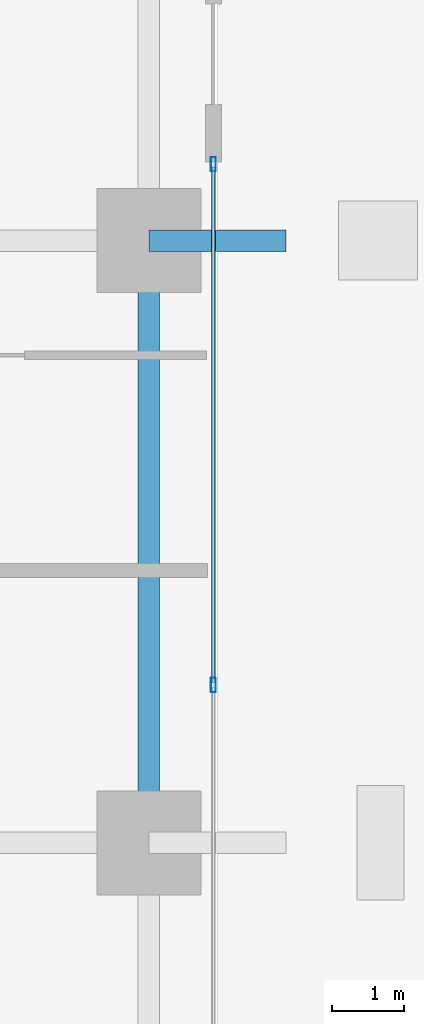
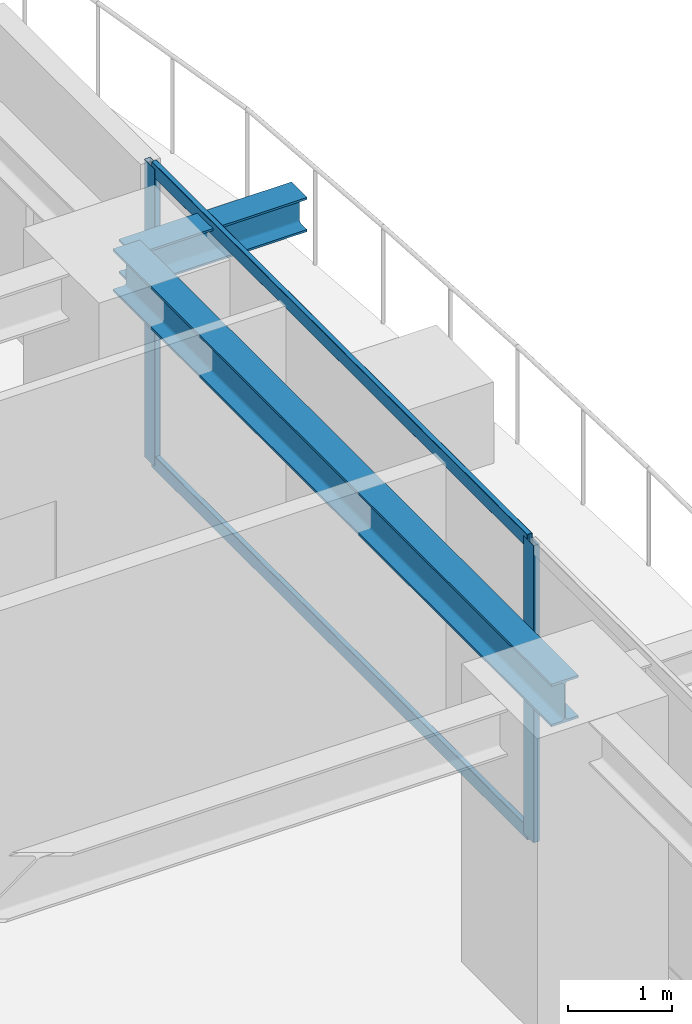
# One storey, part 14 of 38: 4 members, 2 beams, 1 element without a shape of its own.
"""IFC4 building model written with IfcOpenShell, lengths in metres."""

import ifcopenshell
import ifcopenshell.guid

model = None  # the IFC model being written
_history = None  # IfcOwnerHistory: only IFC2X3 demands one
_inside = {}  # id of a spatial element -> (the spatial element, [elements in it])
_under = {}  # id of a project, library or spatial element -> (it, [spatial elements below it])
_declared = {}  # id of a project -> (the project, [libraries it declares])
_typed = {}  # id of a type object -> (the type object, [elements of that type])
_made_of = {}  # id of a material, layer set ... -> (it, [elements and type objects made of it])


def new_model(schema):
    """Start an empty IFC model of exactly this schema.

    Asked for "IFC4X3", IfcOpenShell would pick the latest addendum, in which some entities
    have other attributes; the version numbers below select the first issue.
    IFC2X3 requires an IfcOwnerHistory on every rooted entity: one is made here for all.
    """
    global model, _history
    if schema == "IFC4X3":
        model = ifcopenshell.file(schema_version=(4, 3, 0, 0))
    else:
        model = ifcopenshell.file(schema=schema)
    _inside.clear()
    _under.clear()
    _declared.clear()
    _typed.clear()
    _made_of.clear()
    _history = None
    if model.schema == "IFC2X3":
        org = make("IfcOrganization", Name="unknown")
        user = make(
            "IfcPersonAndOrganization",
            ThePerson=make("IfcPerson", FamilyName="unknown"),
            TheOrganization=org,
        )
        app = make(
            "IfcApplication",
            ApplicationDeveloper=org,
            Version="unknown",
            ApplicationFullName="unknown",
            ApplicationIdentifier="unknown",
        )
        _history = make(
            "IfcOwnerHistory",
            OwningUser=user,
            OwningApplication=app,
            ChangeAction="ADDED",
            CreationDate=0,
        )
    return model


def make(cls, **values):
    """One entity of the class cls with the attributes given. An attribute that is None is left unset."""
    return model.create_entity(
        cls, **{name: value for name, value in values.items() if value is not None}
    )


def rooted(cls, **values):
    """An entity with a GlobalId (a new one), such as an element, a storey or a relation."""
    return make(cls, GlobalId=ifcopenshell.guid.new(), OwnerHistory=_history, **values)


def si_unit(unit_type, name, prefix=None):
    """IfcSIUnit, for example si_unit("LENGTHUNIT", "METRE", prefix="MILLI")."""
    return make("IfcSIUnit", UnitType=unit_type, Prefix=prefix, Name=name)


def assignment(units):
    """IfcUnitAssignment: the units of a project."""
    return None if units is None else make("IfcUnitAssignment", Units=units)


def point(xyz):
    """IfcCartesianPoint."""
    return None if xyz is None else make("IfcCartesianPoint", Coordinates=xyz)


def direction(xyz):
    """IfcDirection."""
    return None if xyz is None else make("IfcDirection", DirectionRatios=xyz)


def frame(location, z_axis=None, x_axis=None):
    """IfcAxis2Placement3D, a coordinate frame: its origin and axes. An axis left out is left unset."""
    return make(
        "IfcAxis2Placement3D",
        Location=point(location),
        Axis=direction(z_axis),
        RefDirection=direction(x_axis),
    )


def frame_2d(location, x_axis=None):
    """IfcAxis2Placement2D, a coordinate frame in the plane: its origin and x axis."""
    return make(
        "IfcAxis2Placement2D", Location=point(location), RefDirection=direction(x_axis)
    )


def origin():
    """The frame at (0, 0, 0) with its axes left unset."""
    return frame((0.0, 0.0, 0.0))


def origin_2d():
    """The frame at (0, 0) in the plane with its x axis left unset."""
    return frame_2d((0.0, 0.0))


def place(relative_to, where):
    """IfcLocalPlacement: puts the frame where relative to a parent placement (None: the world)."""
    return make(
        "IfcLocalPlacement", PlacementRelTo=relative_to, RelativePlacement=where
    )


def context(
    kind, dimensions, precision=None, world=None, true_north=None, identifier=None
):
    """IfcGeometricRepresentationContext, for example the 3D "Model" context."""
    return make(
        "IfcGeometricRepresentationContext",
        ContextIdentifier=identifier,
        ContextType=kind,
        CoordinateSpaceDimension=dimensions,
        Precision=precision,
        WorldCoordinateSystem=world,
        TrueNorth=true_north,
    )


def subcontext(parent, identifier, kind, view, scale=None):
    """IfcGeometricRepresentationSubContext, for example "Body" below "Model"."""
    return make(
        "IfcGeometricRepresentationSubContext",
        ContextIdentifier=identifier,
        ContextType=kind,
        ParentContext=parent,
        TargetScale=scale,
        TargetView=view,
    )


def project(units=None, contexts=None):
    """IfcProject with its units and contexts."""
    return rooted(
        "IfcProject",
        Name="project",
        RepresentationContexts=contexts,
        UnitsInContext=assignment(units),
    )


def spatial(cls, under=None, at=None, **own):
    """A site, building, storey or space (cls), placed at a placement, below another one or the project."""
    s = rooted(cls, ObjectPlacement=at, **own)
    if under is not None:
        _under.setdefault(under.id(), (under, []))[1].append(s)
    return s


def profile(cls, at=None, kind="AREA", **sizes):
    """A parametric profile (cls). Its sizes go by their IFC names, for example OverallWidth=200.0."""
    return make(cls, ProfileType=kind, Position=at, **sizes)


def hollow_rectangle(**sizes):
    """IfcRectangleHollowProfileDef."""
    return profile("IfcRectangleHollowProfileDef", **sizes)


def i_section(**sizes):
    """IfcIShapeProfileDef."""
    return profile("IfcIShapeProfileDef", **sizes)


def extrude(swept, where, along, depth):
    """IfcExtrudedAreaSolid: the profile swept, set in the frame where, extruded along a direction by depth."""
    return make(
        "IfcExtrudedAreaSolid",
        SweptArea=swept,
        Position=where,
        ExtrudedDirection=direction(along),
        Depth=depth,
    )


def shape(context_of_items, identifier, shape_type, items):
    """IfcShapeRepresentation: the items that make up one representation, for example the "Body"."""
    return make(
        "IfcShapeRepresentation",
        ContextOfItems=context_of_items,
        RepresentationIdentifier=identifier,
        RepresentationType=shape_type,
        Items=items,
    )


def source(mapping_origin, context_of_items, identifier, shape_type, items):
    """IfcRepresentationMap: a shape defined once, which mapped items show again and again."""
    return make(
        "IfcRepresentationMap",
        MappingOrigin=mapping_origin,
        MappedRepresentation=shape(context_of_items, identifier, shape_type, items),
    )


def transform(
    local_origin,
    x_axis=None,
    y_axis=None,
    z_axis=None,
    scale=None,
    scale2=None,
    scale3=None,
    uniform=True,
):
    """IfcCartesianTransformationOperator3D, or its non-uniform kind. x_axis, y_axis, z_axis: its Axis1, 2, 3."""
    if uniform:
        return make(
            "IfcCartesianTransformationOperator3D",
            Axis1=direction(x_axis),
            Axis2=direction(y_axis),
            LocalOrigin=point(local_origin),
            Scale=scale,
            Axis3=direction(z_axis),
        )
    return make(
        "IfcCartesianTransformationOperator3DnonUniform",
        Axis1=direction(x_axis),
        Axis2=direction(y_axis),
        LocalOrigin=point(local_origin),
        Scale=scale,
        Axis3=direction(z_axis),
        Scale2=scale2,
        Scale3=scale3,
    )


def mapped(mapping_source, mapping_target):
    """IfcMappedItem: shows the shape of a source again, moved by a transform."""
    return make(
        "IfcMappedItem", MappingSource=mapping_source, MappingTarget=mapping_target
    )


def material(Name=None, Category=None):
    """IfcMaterial."""
    return make("IfcMaterial", Name=Name, Category=Category)


def layer(
    of_material, thickness, ventilated=None, Name=None, Category=None, Priority=None
):
    """IfcMaterialLayer: one layer of a wall or slab, of a material (None: an air gap)."""
    return make(
        "IfcMaterialLayer",
        Material=of_material,
        LayerThickness=thickness,
        IsVentilated=ventilated,
        Name=Name,
        Category=Category,
        Priority=Priority,
    )


def layer_set(layers, Name=None):
    """IfcMaterialLayerSet."""
    return make("IfcMaterialLayerSet", MaterialLayers=layers, LayerSetName=Name)


def material_profile(
    of_material, cross_section, Name=None, Category=None, Priority=None
):
    """IfcMaterialProfile: a cross section and its material."""
    return make(
        "IfcMaterialProfile",
        Name=Name,
        Material=of_material,
        Profile=cross_section,
        Priority=Priority,
        Category=Category,
    )


def profile_set(profiles, Name=None, composite=None):
    """IfcMaterialProfileSet."""
    return make(
        "IfcMaterialProfileSet",
        Name=Name,
        MaterialProfiles=profiles,
        CompositeProfile=composite,
    )


def made_of(thing, what):
    """Note that an element or type object is made of a material, layer set ...; save() writes the relation."""
    if what is not None:
        _made_of.setdefault(what.id(), (what, []))[1].append(thing)
    return thing


def type_object(cls, material=None, **own):
    """A type object (cls), such as IfcWallType, which elements share."""
    return made_of(rooted(cls, **own), material)


def element(
    cls,
    number,
    at=None,
    inside=None,
    cuts=None,
    type_object=None,
    material=None,
    context=None,
    identifier="Body",
    shape_type=None,
    held_by="IfcProductDefinitionShape",
    body=None,
    shapes=None,
    **own,
):
    """One element of the class cls, such as IfcWall. Its Tag is "e" and its number.

    at: its placement. inside: the storey or other place that contains it. cuts: it is an
    opening in that element (IfcRelVoidsElement). A single representation is given by context,
    identifier, shape_type and body (its items); several are given by shapes. held_by: the class
    of the entity that holds the representations. save() writes the other relations.
    """
    e = rooted(cls, Tag="e%d" % number, ObjectPlacement=at, **own)
    if body is not None:
        shapes = [shape(context, identifier, shape_type, body)]
    if shapes is not None:
        e.Representation = make(held_by, Representations=shapes)
    if inside is not None:
        _inside.setdefault(inside.id(), (inside, []))[1].append(e)
    if cuts is not None:
        rooted(
            "IfcRelVoidsElement", RelatingBuildingElement=cuts, RelatedOpeningElement=e
        )
    if type_object is not None:
        _typed.setdefault(type_object.id(), (type_object, []))[1].append(e)
    return made_of(e, material)


def aggregate(whole, parts):
    """IfcRelAggregates: a whole, such as a stair, and the parts it consists of."""
    return rooted("IfcRelAggregates", RelatingObject=whole, RelatedObjects=parts)


def save(model, path):
    """Write the relations noted so far, then the file.

    IfcRelAggregates (storeys below a building ...), IfcRelContainedInSpatialStructure (elements
    in a storey), IfcRelDefinesByType, IfcRelAssociatesMaterial and IfcRelDeclares: one each for
    every whole, place, type object, material and project.
    """
    for whole, parts in _under.values():
        aggregate(whole, parts)
    for where, things in _inside.values():
        rooted(
            "IfcRelContainedInSpatialStructure",
            RelatedElements=things,
            RelatingStructure=where,
        )
    for kind, things in _typed.values():
        rooted("IfcRelDefinesByType", RelatedObjects=things, RelatingType=kind)
    for what, things in _made_of.values():
        rooted("IfcRelAssociatesMaterial", RelatedObjects=things, RelatingMaterial=what)
    for by, libraries in _declared.values():
        rooted("IfcRelDeclares", RelatingContext=by, RelatedDefinitions=libraries)
    model.write(path)


model = new_model("IFC4")

# Units and contexts
model_context = context("Model", 3, precision=1e-05, world=origin(), true_north=direction((0.0, 1.0)))
body_context = subcontext(model_context, "Body", "Model", "MODEL_VIEW")
ifc_project = project(units=[si_unit("LENGTHUNIT", "METRE"), si_unit("AREAUNIT", "SQUARE_METRE"), si_unit("VOLUMEUNIT", "CUBIC_METRE"), si_unit("PLANEANGLEUNIT", "RADIAN"), si_unit("MASSUNIT", "GRAM", prefix="KILO")], contexts=[model_context])

# Site, building, storey
site_placement = place(None, origin())
site = spatial("IfcSite", under=ifc_project, at=site_placement, CompositionType="ELEMENT")
building_placement = place(site_placement, origin())
building = spatial("IfcBuilding", under=site, at=building_placement, Name="Serunith Strait Residences", CompositionType="ELEMENT")
storey_placement = place(building_placement, frame((0.0, 0.0, 52.949951171875)))
storey = spatial("IfcBuildingStorey", under=building, at=storey_placement, Name="L12", CompositionType="ELEMENT", Elevation=52.949951171875)

# Beams
ifc_material_1 = material(Name="Steel S355J2", Category="steel")
ifc_material_profile_1 = material_profile(ifc_material_1, i_section(OverallWidth=0.300048828125, OverallDepth=0.5, WebThickness=0.014404296875, FlangeThickness=0.028076171875, FilletRadius=0.027099609375, at=origin_2d()), Name="HEB 500")
ifc_profile_set_1 = profile_set([ifc_material_profile_1], Name="Steel S355J2")
beam_type_1 = type_object("IfcBeamType", Name="BM-HEB500", PredefinedType="BEAM", material=ifc_profile_set_1)
shared_shape_1 = source(origin(), body_context, "Body", "SweptSolid", [
    extrude(i_section(OverallWidth=0.300048828125, OverallDepth=0.5, WebThickness=0.014404296875, FlangeThickness=0.028076171875, FilletRadius=0.027099609375, at=origin_2d()), origin(), (0.0, 0.0, 1.0), 8.39990234375),
])
beam_1_placement = place(storey_placement, frame((57.89990234375, 21.0, 3.237060546875), z_axis=(0.0, 1.0, 0.0), x_axis=(-1.0, 0.0, 0.0)))
element("IfcBeam", 1, at=beam_1_placement, inside=storey, type_object=beam_type_1, Name="L12 Perimeter Ring Beam 06", PredefinedType="BEAM", context=body_context, shape_type="MappedRepresentation", body=[
    mapped(shared_shape_1, transform((0.0, 0.0, 0.0), scale=1.0)),
])
ifc_material_profile_2 = material_profile(ifc_material_1, i_section(OverallWidth=0.300048828125, OverallDepth=0.39990234375, WebThickness=0.013427734375, FlangeThickness=0.02392578125, FilletRadius=0.027099609375, at=origin_2d()), Name="HEB 400")
ifc_profile_set_2 = profile_set([ifc_material_profile_2], Name="Steel S355J2")
beam_type_2 = type_object("IfcBeamType", Name="BM-HEB400", PredefinedType="BEAM", material=ifc_profile_set_2)
shared_shape_2 = source(origin(), body_context, "Body", "SweptSolid", [
    extrude(i_section(OverallWidth=0.300048828125, OverallDepth=0.39990234375, WebThickness=0.013427734375, FlangeThickness=0.02392578125, FilletRadius=0.027099609375, at=origin_2d()), origin(), (0.0, 0.0, 1.0), 1.91015625),
])
beam_2_placement = place(storey_placement, frame((57.89990234375, 29.39990234375, 3.257080078125), z_axis=(1.0, 0.0, 0.0), x_axis=(0.0, 1.0, 0.0)))
element("IfcBeam", 2, at=beam_2_placement, inside=storey, type_object=beam_type_2, Name="L13 Cantilevered Balcony Rib TC-E3", PredefinedType="BEAM", context=body_context, shape_type="MappedRepresentation", body=[
    mapped(shared_shape_2, transform((0.0, 0.0, 0.0), scale=1.0)),
])

# Curtain wall, members
ifc_material_2 = material(Name="Pale-Champagne Anodised Aluminium", Category="aluminium")
ifc_layer = layer(ifc_material_2, 0.199951171875, Name="Pale-Champagne Anodised Aluminium")
ifc_layer_set = layer_set([ifc_layer], Name="Pale-Champagne Anodised Aluminium")
curtain_wall_type = type_object("IfcCurtainWallType", Name="CW-SYS1", PredefinedType="NOTDEFINED", material=ifc_layer_set)
curtain_wall_placement = place(storey_placement, origin())
curtain_wall = element("IfcCurtainWall", 3, at=curtain_wall_placement, inside=storey, type_object=curtain_wall_type, Name="L12 E Unitised Fritted Curtain Wall", PredefinedType="NOTDEFINED")
ifc_material_profile_3 = material_profile(ifc_material_2, hollow_rectangle(XDim=0.070068359375, YDim=0.199951171875, WallThickness=0.00390625, InnerFilletRadius=0.006103515625, OuterFilletRadius=0.010009765625, at=origin_2d()), Name="ALU 200x70x4")
ifc_profile_set_3 = profile_set([ifc_material_profile_3], Name="Pale-Champagne Anodised Aluminium")
member_type_1 = type_object("IfcMemberType", Name="CW-SYS1-MULL", PredefinedType="MULLION", material=ifc_profile_set_3)
shared_shape_3 = source(origin(), body_context, "Body", "SweptSolid", [
    extrude(hollow_rectangle(XDim=0.070068359375, YDim=0.199951171875, WallThickness=0.00390625, InnerFilletRadius=0.006103515625, OuterFilletRadius=0.010009765625, at=origin_2d()), origin(), (0.0, 0.0, 1.0), 3.47509765625),
])
member_1_placement = place(storey_placement, frame((58.800048828125, 23.199951171875, 0.0), z_axis=(0.0, 0.0, 1.0), x_axis=(-1.0, 0.0, 0.0)))
member_1 = element("IfcMember", 4, at=member_1_placement, type_object=member_type_1, Name="CW-1 mullion 3", PredefinedType="MULLION", context=body_context, shape_type="MappedRepresentation", body=[
    mapped(shared_shape_3, transform((0.0, 0.0, 0.0), scale=1.0)),
])
member_2_placement = place(storey_placement, frame((58.800048828125, 30.465087890625, 0.0), z_axis=(0.0, 0.0, 1.0), x_axis=(-1.0, 0.0, 0.0)))
member_2 = element("IfcMember", 5, at=member_2_placement, type_object=member_type_1, Name="CW-1 mullion 4", PredefinedType="MULLION", context=body_context, shape_type="MappedRepresentation", body=[
    mapped(shared_shape_3, transform((0.0, 0.0, 0.0), scale=1.0)),
])
ifc_material_profile_4 = material_profile(ifc_material_2, hollow_rectangle(XDim=0.06005859375, YDim=0.159912109375, WallThickness=0.00341796875, InnerFilletRadius=0.00537109375, OuterFilletRadius=0.0087890625, at=origin_2d()), Name="ALU 160x60x3.5")
ifc_profile_set_4 = profile_set([ifc_material_profile_4], Name="Pale-Champagne Anodised Aluminium")
member_type_2 = type_object("IfcMemberType", Name="CW-SYS1-TRAN", PredefinedType="USERDEFINED", material=ifc_profile_set_4)
shared_shape_4 = source(origin(), body_context, "Body", "SweptSolid", [
    extrude(hollow_rectangle(XDim=0.06005859375, YDim=0.159912109375, WallThickness=0.00341796875, InnerFilletRadius=0.00537109375, OuterFilletRadius=0.0087890625, at=origin_2d()), origin(), (0.0, 0.0, 1.0), 7.19482421875),
])
member_3_placement = place(storey_placement, frame((58.800048828125, 23.235107421875, 0.030029296875), z_axis=(0.0, 1.0, 0.0), x_axis=(-1.0, 0.0, 0.0)))
member_3 = element("IfcMember", 6, at=member_3_placement, type_object=member_type_2, Name="CW-1 transom 3.1", ObjectType="TRANSOM", PredefinedType="USERDEFINED", context=body_context, shape_type="MappedRepresentation", body=[
    mapped(shared_shape_4, transform((0.0, 0.0, 0.0), scale=1.0)),
])
member_4_placement = place(storey_placement, frame((58.800048828125, 23.235107421875, 3.445068359375), z_axis=(0.0, 1.0, 0.0), x_axis=(-1.0, 0.0, 0.0)))
member_4 = element("IfcMember", 7, at=member_4_placement, type_object=member_type_2, Name="CW-1 transom 3.2", ObjectType="TRANSOM", PredefinedType="USERDEFINED", context=body_context, shape_type="MappedRepresentation", body=[
    mapped(shared_shape_4, transform((0.0, 0.0, 0.0), scale=1.0)),
])
aggregate(curtain_wall, [member_1, member_2, member_3, member_4])

save(model, "model.ifc")
